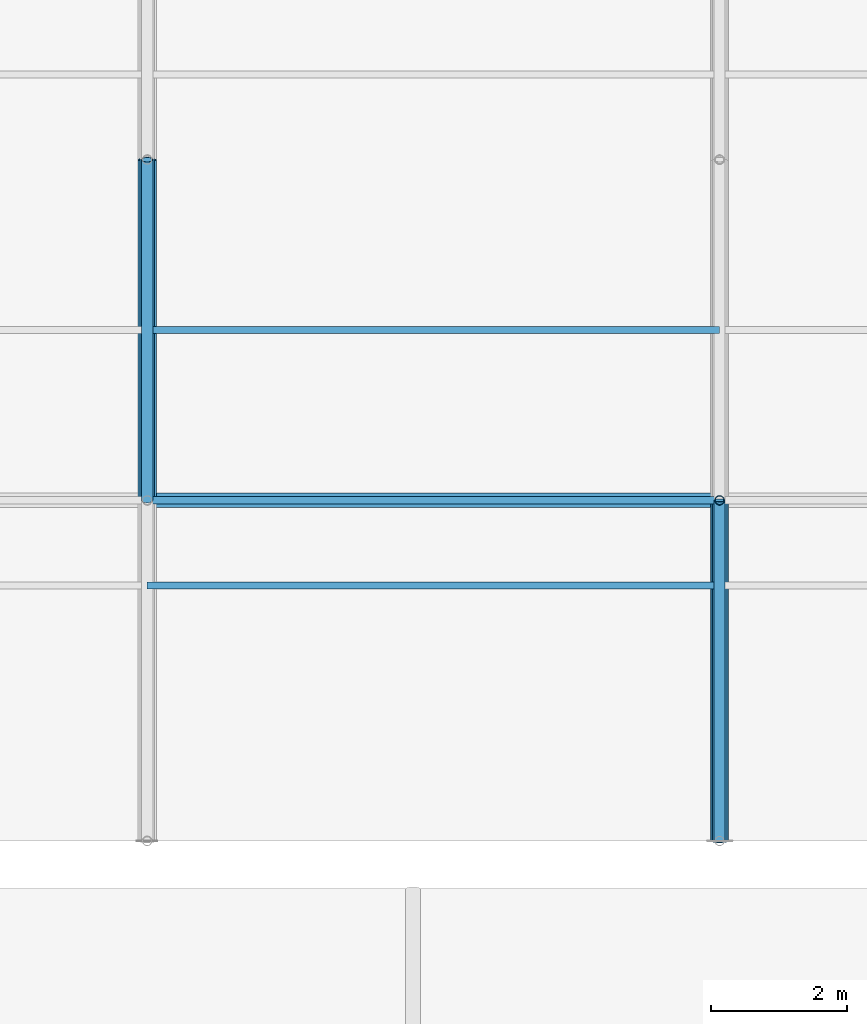
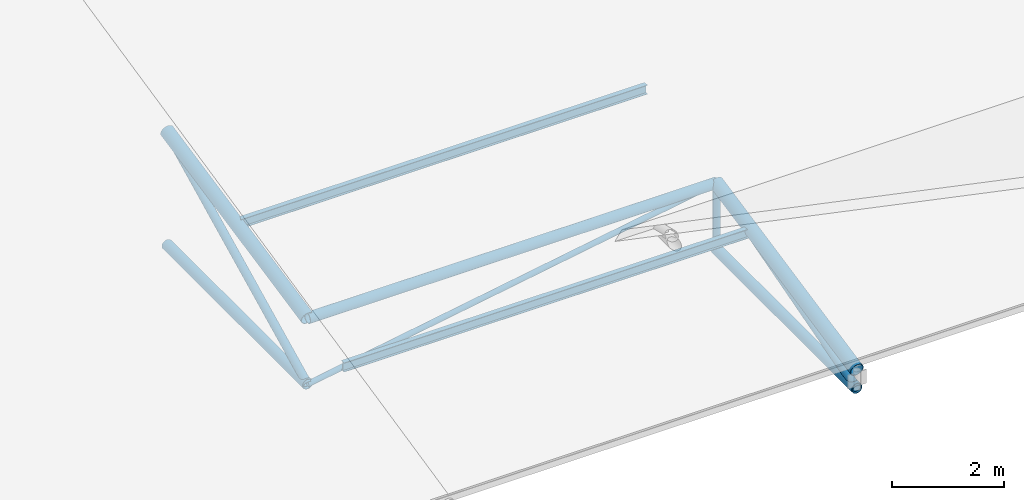
# One storey, part 80 of 194: 9 members, 2 beams.
"""IFC4 building model written with IfcOpenShell, lengths in metres."""

from ifc_helpers import new_model, si_unit, direction, frame, origin, origin_2d, place, context, subcontext, project, spatial, hollow_circle, i_section, extrude, material, material_profile, profile_set, type_object, element, save


model = new_model("IFC4")

# Units and contexts
model_context = context("Model", 3, precision=1e-05, world=origin(), true_north=direction((0.0, 1.0)))
body_context = subcontext(model_context, "Body", "Model", "MODEL_VIEW")
ifc_project = project(units=[si_unit("LENGTHUNIT", "METRE"), si_unit("AREAUNIT", "SQUARE_METRE"), si_unit("VOLUMEUNIT", "CUBIC_METRE"), si_unit("PLANEANGLEUNIT", "RADIAN"), si_unit("MASSUNIT", "GRAM", prefix="KILO")], contexts=[model_context])

# Site, building, storey
site_placement = place(None, origin())
site = spatial("IfcSite", under=ifc_project, at=site_placement, CompositionType="ELEMENT")
building_placement = place(site_placement, origin())
building = spatial("IfcBuilding", under=site, at=building_placement, Name="Kazenagashi Tramway Depot", CompositionType="ELEMENT")
storey_placement = place(building_placement, frame((0.0, 0.0, 23.7)))
storey = spatial("IfcBuildingStorey", under=building, at=storey_placement, Name="ROOF", CompositionType="ELEMENT", Elevation=23.7)

# Beams
ifc_material_1 = material(Name="Steel SN400B", Category="steel")
ifc_material_profile_1 = material_profile(ifc_material_1, i_section(OverallWidth=0.1, OverallDepth=0.2, WebThickness=0.0055, FlangeThickness=0.008, at=origin_2d()), Name="H-200x100x5.5x8")
ifc_profile_set_1 = profile_set([ifc_material_profile_1], Name="Steel SN400B")
beam_type = type_object("IfcBeamType", Name="PR-01", PredefinedType="USERDEFINED", material=ifc_profile_set_1)
for number, where, z_axis, x_axis, name in (
    (1, (170.8, 73.75, -12.955), (1.0, 0.0, 0.0), (0.0, 1.0, 0.0), "Beam PR-01 BM-2033"),
    (2, (170.8, 77.5, -12.13), (1.0, 0.0, 0.0), (0.0, 1.0, 0.0), "Beam PR-01 BM-2051"),
):
    element("IfcBeam", number, at=place(storey_placement, frame(where, z_axis=z_axis, x_axis=x_axis)), inside=storey, type_object=beam_type, Name=name, ObjectType="PURLIN", PredefinedType="USERDEFINED", context=body_context, shape_type="SweptSolid", body=[
        extrude(i_section(OverallWidth=0.1, OverallDepth=0.2, WebThickness=0.0055, FlangeThickness=0.008, at=origin_2d()), origin(), (0.0, 0.0, 1.0), 8.4),
    ])

# Members
ifc_material_2 = material(Name="Steel STK490", Category="steel")
ifc_material_profile_2 = material_profile(ifc_material_2, hollow_circle(Radius=0.1337, WallThickness=0.0093, at=origin_2d()), Name="CHS-267.4x9.3")
ifc_profile_set_2 = profile_set([ifc_material_profile_2], Name="Steel STK490")
member_type_1 = type_object("IfcMemberType", Name="TC-01", PredefinedType="CHORD", material=ifc_profile_set_2)
member_1_placement = place(storey_placement, frame((170.8, 75.0, -12.667), z_axis=(0.0, 0.979279174591, 0.202514933305), x_axis=(-1.0, 0.0, 0.0)))
element("IfcMember", 3, at=member_1_placement, inside=storey, type_object=member_type_1, Name="Tubular Space Frame TC-01 MEM-0919", PredefinedType="CHORD", context=body_context, shape_type="SweptSolid", body=[
    extrude(hollow_circle(Radius=0.1337, WallThickness=0.0093, at=origin_2d()), origin(), (0.0, 0.0, 1.0), 5.105796),
])
member_2_placement = place(storey_placement, frame((179.2, 70.0, -13.7), z_axis=(0.0, 0.979317999984, 0.202327098797), x_axis=(-1.0, 0.0, 0.0)))
element("IfcMember", 4, at=member_2_placement, inside=storey, type_object=member_type_1, Name="Tubular Space Frame TC-01 MEM-0977", PredefinedType="CHORD", context=body_context, shape_type="SweptSolid", body=[
    extrude(hollow_circle(Radius=0.1337, WallThickness=0.0093, at=origin_2d()), origin(), (0.0, 0.0, 1.0), 5.105594),
])
ifc_material_profile_3 = material_profile(ifc_material_2, hollow_circle(Radius=0.10815, WallThickness=0.0082, at=origin_2d()), Name="CHS-216.3x8.2")
ifc_profile_set_3 = profile_set([ifc_material_profile_3], Name="Steel STK490")
member_type_2 = type_object("IfcMemberType", Name="TC-02", PredefinedType="CHORD", material=ifc_profile_set_3)
member_3_placement = place(storey_placement, frame((170.8, 75.0, -14.1), z_axis=(0.0, 1.0, 0.0), x_axis=(-1.0, 0.0, 0.0)))
element("IfcMember", 5, at=member_3_placement, inside=storey, type_object=member_type_2, Name="Tubular Space Frame TC-02 MEM-0920", PredefinedType="CHORD", context=body_context, shape_type="SweptSolid", body=[
    extrude(hollow_circle(Radius=0.10815, WallThickness=0.0082, at=origin_2d()), origin(), (0.0, 0.0, 1.0), 5.0),
])
member_4_placement = place(storey_placement, frame((170.8, 75.0, -12.667), z_axis=(1.0, 0.0, 0.0), x_axis=(0.0, 1.0, 0.0)))
element("IfcMember", 6, at=member_4_placement, inside=storey, type_object=member_type_2, Name="Tubular Space Frame TC-02 MEM-0941", PredefinedType="CHORD", context=body_context, shape_type="SweptSolid", body=[
    extrude(hollow_circle(Radius=0.10815, WallThickness=0.0082, at=origin_2d()), origin(), (0.0, 0.0, 1.0), 8.4),
])
member_5_placement = place(storey_placement, frame((179.2, 70.0, -14.1), z_axis=(0.0, 1.0, 0.0), x_axis=(-1.0, 0.0, 0.0)))
element("IfcMember", 7, at=member_5_placement, inside=storey, type_object=member_type_2, Name="Tubular Space Frame TC-02 MEM-0978", PredefinedType="CHORD", context=body_context, shape_type="SweptSolid", body=[
    extrude(hollow_circle(Radius=0.10815, WallThickness=0.0082, at=origin_2d()), origin(), (0.0, 0.0, 1.0), 5.0),
])
ifc_material_profile_4 = material_profile(ifc_material_2, hollow_circle(Radius=0.0826, WallThickness=0.0071, at=origin_2d()), Name="CHS-165.2x7.1")
ifc_profile_set_4 = profile_set([ifc_material_profile_4], Name="Steel STK490")
member_type_3 = type_object("IfcMemberType", Name="TS-01", PredefinedType="STRUT", material=ifc_profile_set_4)
member_6_placement = place(storey_placement, frame((170.8, 75.0, -14.1), z_axis=(0.0, 0.896782162482, 0.442472318969), x_axis=(-1.0, 0.0, 0.0)))
element("IfcMember", 8, at=member_6_placement, inside=storey, type_object=member_type_3, Name="Tubular Space Frame TS-01 MEM-0921", PredefinedType="STRUT", context=body_context, shape_type="SweptSolid", body=[
    extrude(hollow_circle(Radius=0.0826, WallThickness=0.0071, at=origin_2d()), origin(), (0.0, 0.0, 1.0), 5.57549),
])
member_7_placement = place(storey_placement, frame((179.2, 70.0, -14.1), z_axis=(0.0, 0.961298717795, 0.27550821252), x_axis=(-1.0, 0.0, 0.0)))
element("IfcMember", 9, at=member_7_placement, inside=storey, type_object=member_type_3, Name="Tubular Space Frame TS-01 MEM-0979", PredefinedType="STRUT", context=body_context, shape_type="SweptSolid", body=[
    extrude(hollow_circle(Radius=0.0826, WallThickness=0.0071, at=origin_2d()), origin(), (0.0, 0.0, 1.0), 5.201297),
])
ifc_material_profile_5 = material_profile(ifc_material_2, hollow_circle(Radius=0.0699, WallThickness=0.0066, at=origin_2d()), Name="CHS-139.8x6.6")
ifc_profile_set_5 = profile_set([ifc_material_profile_5], Name="Steel STK490")
member_type_4 = type_object("IfcMemberType", Name="TS-02", PredefinedType="STRUT", material=ifc_profile_set_5)
member_8_placement = place(storey_placement, frame((179.2, 75.0, -14.1), z_axis=(0.0, 0.0, 1.0), x_axis=(1.0, 0.0, 0.0)))
element("IfcMember", 10, at=member_8_placement, inside=storey, type_object=member_type_4, Name="Tubular Space Frame TS-02 MEM-0996", PredefinedType="STRUT", context=body_context, shape_type="SweptSolid", body=[
    extrude(hollow_circle(Radius=0.0699, WallThickness=0.0066, at=origin_2d()), origin(), (0.0, 0.0, 1.0), 1.433),
])
ifc_material_3 = material(Name="Steel STK400", Category="steel")
ifc_material_profile_6 = material_profile(ifc_material_3, hollow_circle(Radius=0.05715, WallThickness=0.0045, at=origin_2d()), Name="CHS-114.3x4.5")
ifc_profile_set_6 = profile_set([ifc_material_profile_6], Name="Steel STK400")
member_type_5 = type_object("IfcMemberType", Name="TS-03", PredefinedType="STRUT", material=ifc_profile_set_6)
member_9_placement = place(storey_placement, frame((170.8, 75.0, -14.1), z_axis=(0.985758734117, 0.0, 0.168165745951), x_axis=(0.0, 1.0, 0.0)))
element("IfcMember", 11, at=member_9_placement, inside=storey, type_object=member_type_5, Name="Tubular Space Frame TS-03 MEM-0942", PredefinedType="STRUT", context=body_context, shape_type="SweptSolid", body=[
    extrude(hollow_circle(Radius=0.05715, WallThickness=0.0045, at=origin_2d()), origin(), (0.0, 0.0, 1.0), 8.521355),
])

save(model, "model.ifc")
